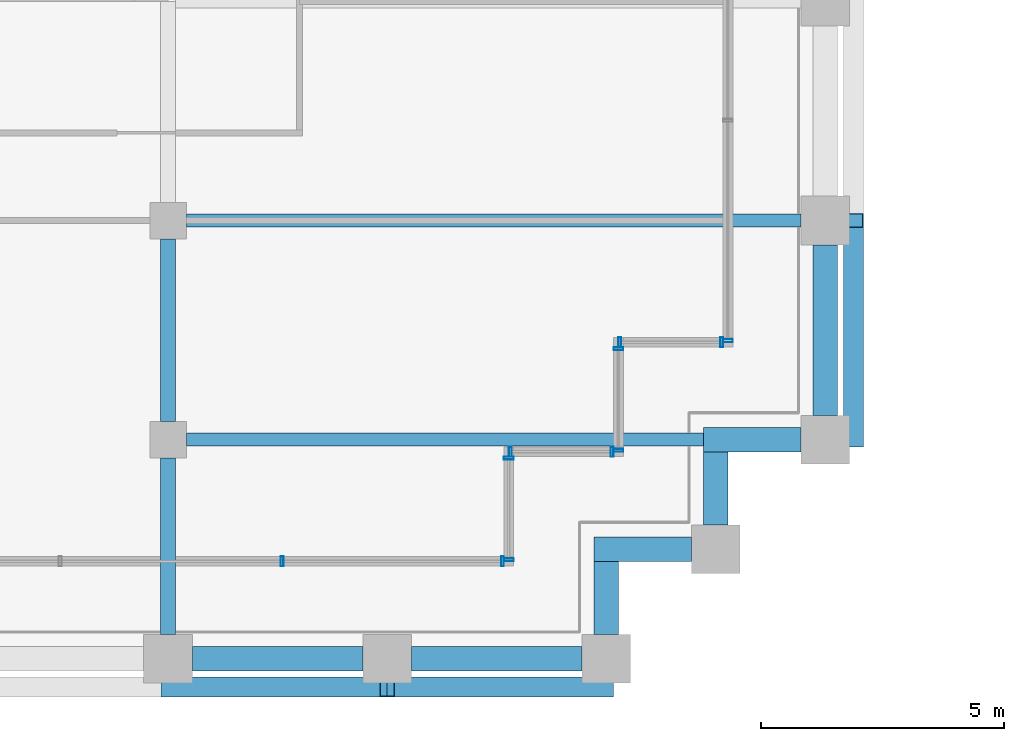
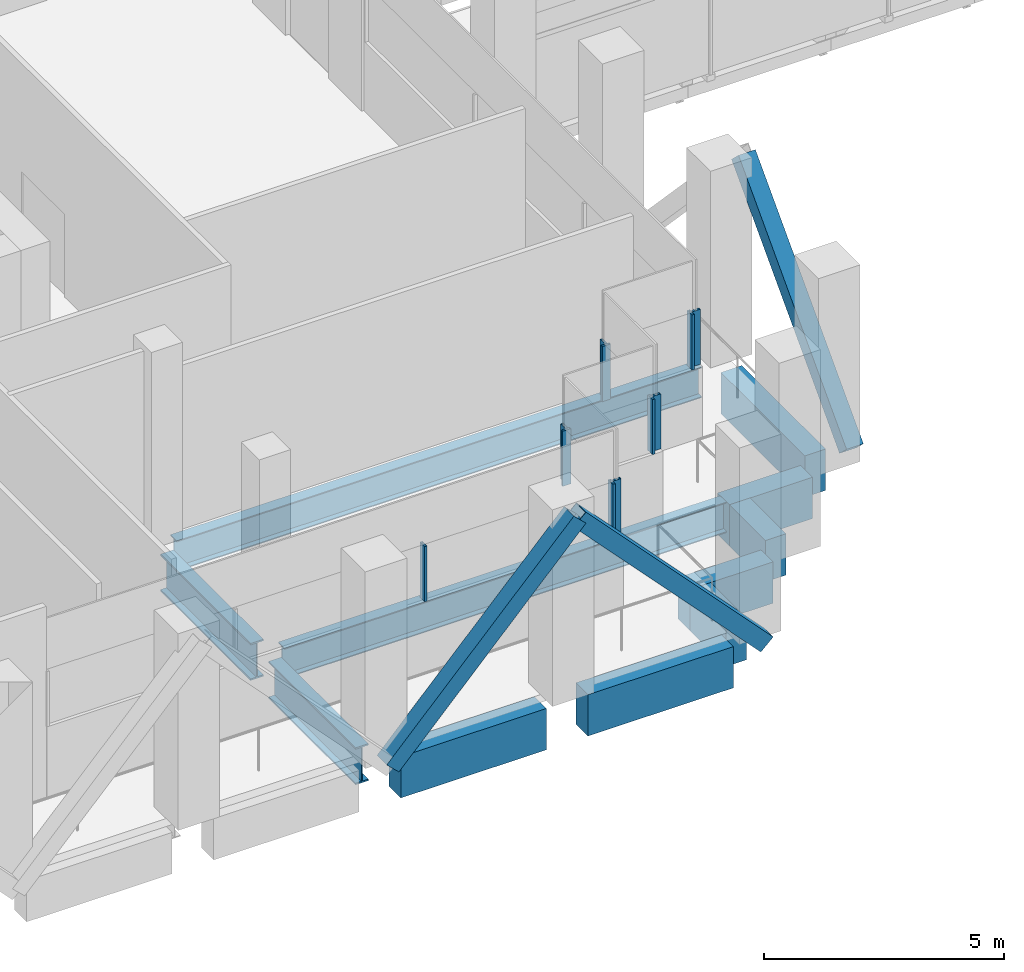
# One storey, part 8 of 48: 14 members, 11 beams, 6 elements without a shape of their own.
"""IFC4 building model written with IfcOpenShell, lengths in metres."""

from ifc_helpers import new_model, si_unit, direction, frame, origin, origin_2d, place, context, subcontext, project, spatial, rectangle, hollow_rectangle, i_section, extrude, material, material_profile, profile_set, type_object, element, aggregate, save


model = new_model("IFC4")

# Units and contexts
model_context = context("Model", 3, precision=1e-05, world=origin(), true_north=direction((0.0, 1.0)))
body_context = subcontext(model_context, "Body", "Model", "MODEL_VIEW")
ifc_project = project(units=[si_unit("LENGTHUNIT", "METRE"), si_unit("AREAUNIT", "SQUARE_METRE"), si_unit("VOLUMEUNIT", "CUBIC_METRE"), si_unit("PLANEANGLEUNIT", "RADIAN"), si_unit("MASSUNIT", "GRAM", prefix="KILO")], contexts=[model_context])

# Site, building, storey
site_placement = place(None, origin())
site = spatial("IfcSite", under=ifc_project, at=site_placement, CompositionType="ELEMENT")
building_placement = place(site_placement, origin())
building = spatial("IfcBuilding", under=site, at=building_placement, Name="Altepetl Exchange Towers", CompositionType="ELEMENT")
storey_placement = place(building_placement, frame((0.0, 0.0, 138.800048828125)))
storey = spatial("IfcBuildingStorey", under=building, at=storey_placement, Name="L34 Refuge and sky lobby", CompositionType="ELEMENT", Elevation=138.800048828125)

# Members
ifc_material_1 = material(Name="Steel S355", Category="steel")
ifc_material_profile_1 = material_profile(ifc_material_1, hollow_rectangle(XDim=0.406005859375, YDim=0.406005859375, WallThickness=0.014892578125, at=origin_2d()), Name="HSS406X406X15.9")
ifc_profile_set_1 = profile_set([ifc_material_profile_1], Name="Steel S355")
member_type_1 = type_object("IfcMemberType", Name="Belt diagonal HSS406X406X15.9", PredefinedType="BRACE", material=ifc_profile_set_1)
for number, where, z_axis, x_axis, name in (
    (1, (58.5, 26.419921875, 0.0), (0.687744647911, 0.0, 0.725952683906), (0.0, 1.0, 0.0), "brc:A:L34:006"),
    (2, (63.0, 26.419921875, 4.75), (0.687744647911, 0.0, -0.725952683906), (0.0, 1.0, 0.0), "brc:A:L34:007"),
    (3, (72.580078125, 31.5, 0.0), (0.0, 0.687744647911, 0.725952683906), (-1.0, 0.0, 0.0), "brc:A:L34:008"),
):
    element("IfcMember", number, at=place(storey_placement, frame(where, z_axis=z_axis, x_axis=x_axis)), inside=storey, type_object=member_type_1, Name=name, PredefinedType="BRACE", context=body_context, shape_type="SweptSolid", body=[
        extrude(hollow_rectangle(XDim=0.406005859375, YDim=0.406005859375, WallThickness=0.014892578125, at=origin_2d()), origin(), (0.0, 0.0, 1.0), 6.543212890625),
    ])

# Beams
ifc_material_profile_2 = material_profile(ifc_material_1, i_section(OverallWidth=0.26806640625, OverallDepth=0.77392578125, WebThickness=0.015380859375, FlangeThickness=0.025390625, at=origin_2d()), Name="W30X132")
ifc_profile_set_2 = profile_set([ifc_material_profile_2], Name="Steel S355")
beam_type_1 = type_object("IfcBeamType", Name="Floor beam W30X132", PredefinedType="BEAM", material=ifc_profile_set_2)
beam_1_placement = place(storey_placement, frame((58.875, 31.5, -0.587158203125), z_axis=(1.0, 0.0, 0.0), x_axis=(0.0, 1.0, 0.0)))
element("IfcBeam", 4, at=beam_1_placement, inside=storey, type_object=beam_type_1, Name="bm:A:L34:006", PredefinedType="BEAM", context=body_context, shape_type="SweptSolid", body=[
    extrude(i_section(OverallWidth=0.26806640625, OverallDepth=0.77392578125, WebThickness=0.015380859375, FlangeThickness=0.025390625, at=origin_2d()), origin(), (0.0, 0.0, 1.0), 10.625),
])
beam_2_placement = place(storey_placement, frame((58.875, 36.0, -0.587158203125), z_axis=(1.0, 0.0, 0.0), x_axis=(0.0, 1.0, 0.0)))
element("IfcBeam", 5, at=beam_2_placement, inside=storey, type_object=beam_type_1, Name="bm:A:L34:007", PredefinedType="BEAM", context=body_context, shape_type="SweptSolid", body=[
    extrude(i_section(OverallWidth=0.26806640625, OverallDepth=0.77392578125, WebThickness=0.015380859375, FlangeThickness=0.025390625, at=origin_2d()), origin(), (0.0, 0.0, 1.0), 12.625),
])
ifc_material_profile_3 = material_profile(ifc_material_1, i_section(OverallWidth=0.30810546875, OverallDepth=0.943115234375, WebThickness=0.022216796875, FlangeThickness=0.039794921875, at=origin_2d()), Name="W36X232")
ifc_profile_set_3 = profile_set([ifc_material_profile_3], Name="Steel S355")
beam_type_2 = type_object("IfcBeamType", Name="Girder W36X232", PredefinedType="BEAM", material=ifc_profile_set_3)
beam_3_placement = place(storey_placement, frame((58.5, 35.625, -0.671630859375), z_axis=(0.0, -1.0, 0.0), x_axis=(1.0, 0.0, 0.0)))
element("IfcBeam", 6, at=beam_3_placement, inside=storey, type_object=beam_type_2, Name="gd:A:L34:004", PredefinedType="BEAM", context=body_context, shape_type="SweptSolid", body=[
    extrude(i_section(OverallWidth=0.30810546875, OverallDepth=0.943115234375, WebThickness=0.022216796875, FlangeThickness=0.039794921875, at=origin_2d()), origin(), (0.0, 0.0, 1.0), 3.75),
])
beam_4_placement = place(storey_placement, frame((58.5, 31.125, -0.671630859375), z_axis=(0.0, -1.0, 0.0), x_axis=(1.0, 0.0, 0.0)))
element("IfcBeam", 7, at=beam_4_placement, inside=storey, type_object=beam_type_2, Name="gd:A:L34:005", PredefinedType="BEAM", context=body_context, shape_type="SweptSolid", body=[
    extrude(i_section(OverallWidth=0.30810546875, OverallDepth=0.943115234375, WebThickness=0.022216796875, FlangeThickness=0.039794921875, at=origin_2d()), origin(), (0.0, 0.0, 1.0), 3.625),
])

# Curtain wall, members
ifc_material_2 = material(Name="Aluminium 6063-T6 glazing", Category="aluminium")
curtain_wall_type = type_object("IfcCurtainWallType", Name="Refuge slit glazing system", PredefinedType="NOTDEFINED", material=ifc_material_2)
curtain_wall_1_placement = place(storey_placement, origin())
curtain_wall_1 = element("IfcCurtainWall", 8, at=curtain_wall_1_placement, inside=storey, type_object=curtain_wall_type, Name="CW3 run", PredefinedType="NOTDEFINED")
ifc_material_3 = material(Name="Aluminium 6063-T6", Category="aluminium")
ifc_material_profile_4 = material_profile(ifc_material_3, hollow_rectangle(XDim=0.06005859375, YDim=0.199951171875, WallThickness=0.0029296875, at=origin_2d()), Name="Mullion 60x200 aluminium")
ifc_profile_set_4 = profile_set([ifc_material_profile_4], Name="Aluminium 6063-T6")
member_type_2 = type_object("IfcMemberType", Name="Mullion 60x200 aluminium", PredefinedType="MULLION", material=ifc_profile_set_4)
member_1_placement = place(storey_placement, frame((60.8427734375, 29.0, 1.800048828125)))
member_1 = element("IfcMember", 9, at=member_1_placement, type_object=member_type_2, Name="MU2 mullion", PredefinedType="MULLION", context=body_context, shape_type="SweptSolid", body=[
    extrude(hollow_rectangle(XDim=0.06005859375, YDim=0.199951171875, WallThickness=0.0029296875, at=origin_2d()), origin(), (0.0, 0.0, 1.0), 1.39990234375),
])
member_2_placement = place(storey_placement, frame((65.3701171875, 29.0, 1.800048828125)))
member_2 = element("IfcMember", 10, at=member_2_placement, type_object=member_type_2, Name="MU2 mullion", PredefinedType="MULLION", context=body_context, shape_type="SweptSolid", body=[
    extrude(hollow_rectangle(XDim=0.06005859375, YDim=0.199951171875, WallThickness=0.0029296875, at=origin_2d()), origin(), (0.0, 0.0, 1.0), 1.39990234375),
])
aggregate(curtain_wall_1, [member_1, member_2])

curtain_wall_2_placement = place(storey_placement, origin())
curtain_wall_2 = element("IfcCurtainWall", 11, at=curtain_wall_2_placement, inside=storey, type_object=curtain_wall_type, Name="CW3 run", PredefinedType="NOTDEFINED")
member_3_placement = place(storey_placement, frame((65.5, 29.030029296875, 1.800048828125), z_axis=(0.0, 0.0, 1.0), x_axis=(0.0, 1.0, 0.0)))
member_3 = element("IfcMember", 12, at=member_3_placement, type_object=member_type_2, Name="MU2 mullion", PredefinedType="MULLION", context=body_context, shape_type="SweptSolid", body=[
    extrude(hollow_rectangle(XDim=0.06005859375, YDim=0.199951171875, WallThickness=0.0029296875, at=origin_2d()), origin(), (0.0, 0.0, 1.0), 1.39990234375),
])
member_4_placement = place(storey_placement, frame((65.5, 31.1201171875, 1.800048828125), z_axis=(0.0, 0.0, 1.0), x_axis=(0.0, 1.0, 0.0)))
member_4 = element("IfcMember", 13, at=member_4_placement, type_object=member_type_2, Name="MU2 mullion", PredefinedType="MULLION", context=body_context, shape_type="SweptSolid", body=[
    extrude(hollow_rectangle(XDim=0.06005859375, YDim=0.199951171875, WallThickness=0.0029296875, at=origin_2d()), origin(), (0.0, 0.0, 1.0), 1.39990234375),
])
aggregate(curtain_wall_2, [member_3, member_4])

curtain_wall_3_placement = place(storey_placement, origin())
curtain_wall_3 = element("IfcCurtainWall", 14, at=curtain_wall_3_placement, inside=storey, type_object=curtain_wall_type, Name="CW3 run", PredefinedType="NOTDEFINED")
member_5_placement = place(storey_placement, frame((65.530029296875, 31.25, 1.800048828125)))
member_5 = element("IfcMember", 15, at=member_5_placement, type_object=member_type_2, Name="MU2 mullion", PredefinedType="MULLION", context=body_context, shape_type="SweptSolid", body=[
    extrude(hollow_rectangle(XDim=0.06005859375, YDim=0.199951171875, WallThickness=0.0029296875, at=origin_2d()), origin(), (0.0, 0.0, 1.0), 1.39990234375),
])
member_6_placement = place(storey_placement, frame((67.6201171875, 31.25, 1.800048828125)))
member_6 = element("IfcMember", 16, at=member_6_placement, type_object=member_type_2, Name="MU2 mullion", PredefinedType="MULLION", context=body_context, shape_type="SweptSolid", body=[
    extrude(hollow_rectangle(XDim=0.06005859375, YDim=0.199951171875, WallThickness=0.0029296875, at=origin_2d()), origin(), (0.0, 0.0, 1.0), 1.39990234375),
])
aggregate(curtain_wall_3, [member_5, member_6])

curtain_wall_4_placement = place(storey_placement, origin())
curtain_wall_4 = element("IfcCurtainWall", 17, at=curtain_wall_4_placement, inside=storey, type_object=curtain_wall_type, Name="CW3 run", PredefinedType="NOTDEFINED")
member_7_placement = place(storey_placement, frame((67.75, 31.280029296875, 1.800048828125), z_axis=(0.0, 0.0, 1.0), x_axis=(0.0, 1.0, 0.0)))
member_7 = element("IfcMember", 18, at=member_7_placement, type_object=member_type_2, Name="MU2 mullion", PredefinedType="MULLION", context=body_context, shape_type="SweptSolid", body=[
    extrude(hollow_rectangle(XDim=0.06005859375, YDim=0.199951171875, WallThickness=0.0029296875, at=origin_2d()), origin(), (0.0, 0.0, 1.0), 1.39990234375),
])
member_8_placement = place(storey_placement, frame((67.75, 33.3701171875, 1.800048828125), z_axis=(0.0, 0.0, 1.0), x_axis=(0.0, 1.0, 0.0)))
member_8 = element("IfcMember", 19, at=member_8_placement, type_object=member_type_2, Name="MU2 mullion", PredefinedType="MULLION", context=body_context, shape_type="SweptSolid", body=[
    extrude(hollow_rectangle(XDim=0.06005859375, YDim=0.199951171875, WallThickness=0.0029296875, at=origin_2d()), origin(), (0.0, 0.0, 1.0), 1.39990234375),
])
aggregate(curtain_wall_4, [member_7, member_8])

curtain_wall_5_placement = place(storey_placement, origin())
curtain_wall_5 = element("IfcCurtainWall", 20, at=curtain_wall_5_placement, inside=storey, type_object=curtain_wall_type, Name="CW3 run", PredefinedType="NOTDEFINED")
member_9_placement = place(storey_placement, frame((67.780029296875, 33.5, 1.800048828125)))
member_9 = element("IfcMember", 21, at=member_9_placement, type_object=member_type_2, Name="MU2 mullion", PredefinedType="MULLION", context=body_context, shape_type="SweptSolid", body=[
    extrude(hollow_rectangle(XDim=0.06005859375, YDim=0.199951171875, WallThickness=0.0029296875, at=origin_2d()), origin(), (0.0, 0.0, 1.0), 1.39990234375),
])
member_10_placement = place(storey_placement, frame((69.8701171875, 33.5, 1.800048828125)))
member_10 = element("IfcMember", 22, at=member_10_placement, type_object=member_type_2, Name="MU2 mullion", PredefinedType="MULLION", context=body_context, shape_type="SweptSolid", body=[
    extrude(hollow_rectangle(XDim=0.06005859375, YDim=0.199951171875, WallThickness=0.0029296875, at=origin_2d()), origin(), (0.0, 0.0, 1.0), 1.39990234375),
])
aggregate(curtain_wall_5, [member_9, member_10])

# Curtain wall, member
curtain_wall_6_placement = place(storey_placement, origin())
curtain_wall_6 = element("IfcCurtainWall", 23, at=curtain_wall_6_placement, inside=storey, type_object=curtain_wall_type, Name="CW3 run", PredefinedType="NOTDEFINED")
member_11_placement = place(storey_placement, frame((70.0, 33.530029296875, 1.800048828125), z_axis=(0.0, 0.0, 1.0), x_axis=(0.0, 1.0, 0.0)))
member_11 = element("IfcMember", 24, at=member_11_placement, type_object=member_type_2, Name="MU2 mullion", PredefinedType="MULLION", context=body_context, shape_type="SweptSolid", body=[
    extrude(hollow_rectangle(XDim=0.06005859375, YDim=0.199951171875, WallThickness=0.0029296875, at=origin_2d()), origin(), (0.0, 0.0, 1.0), 1.39990234375),
])
aggregate(curtain_wall_6, [member_11])

# Beams
ifc_material_4 = material(Name="Concrete C50/60 precast with cantera amarilla facing", Category="concrete")
ifc_material_profile_5 = material_profile(ifc_material_4, rectangle(XDim=0.5, YDim=1.050048828125, at=origin_2d()), Name="500 x 1050")
ifc_profile_set_5 = profile_set([ifc_material_profile_5], Name="Concrete C50/60 precast with cantera amarilla facing")
beam_type_3 = type_object("IfcBeamType", Name="Spandrel beam 500x1050 cantera amarilla", PredefinedType="SPANDREL", material=ifc_profile_set_5)
for number, where, z_axis, x_axis, name in (
    (25, (59.0, 27.0, -0.72509765625), (1.0, 0.0, 0.0), (0.0, 1.0, 0.0), "sp:A:L34:006"),
    (26, (63.5, 27.0, -0.72509765625), (1.0, 0.0, 0.0), (0.0, 1.0, 0.0), "sp:A:L34:007"),
):
    element("IfcBeam", number, at=place(storey_placement, frame(where, z_axis=z_axis, x_axis=x_axis)), inside=storey, type_object=beam_type_3, Name=name, PredefinedType="SPANDREL", context=body_context, shape_type="SweptSolid", body=[
        extrude(rectangle(XDim=0.5, YDim=1.050048828125, at=origin_2d()), origin(), (0.0, 0.0, 1.0), 3.5),
    ])
beam_5_placement = place(storey_placement, frame((67.5, 27.5, -0.72509765625), z_axis=(0.0, 1.0, 0.0), x_axis=(-1.0, 0.0, 0.0)))
element("IfcBeam", 27, at=beam_5_placement, inside=storey, type_object=beam_type_3, Name="sp:A:L34:008", PredefinedType="SPANDREL", context=body_context, shape_type="SweptSolid", body=[
    extrude(rectangle(XDim=0.5, YDim=1.050048828125, at=origin_2d()), origin(), (0.0, 0.0, 1.0), 1.5),
])
beam_6_placement = place(storey_placement, frame((67.25, 29.25, -0.72509765625), z_axis=(1.0, 0.0, 0.0), x_axis=(0.0, 1.0, 0.0)))
element("IfcBeam", 28, at=beam_6_placement, inside=storey, type_object=beam_type_3, Name="sp:A:L34:009", PredefinedType="SPANDREL", context=body_context, shape_type="SweptSolid", body=[
    extrude(rectangle(XDim=0.5, YDim=1.050048828125, at=origin_2d()), origin(), (0.0, 0.0, 1.0), 2.0),
])
beam_7_placement = place(storey_placement, frame((69.75, 29.75, -0.72509765625), z_axis=(0.0, 1.0, 0.0), x_axis=(-1.0, 0.0, 0.0)))
element("IfcBeam", 29, at=beam_7_placement, inside=storey, type_object=beam_type_3, Name="sp:A:L34:010", PredefinedType="SPANDREL", context=body_context, shape_type="SweptSolid", body=[
    extrude(rectangle(XDim=0.5, YDim=1.050048828125, at=origin_2d()), origin(), (0.0, 0.0, 1.0), 1.5),
])
beam_8_placement = place(storey_placement, frame((69.5, 31.5, -0.72509765625), z_axis=(1.0, 0.0, 0.0), x_axis=(0.0, 1.0, 0.0)))
element("IfcBeam", 30, at=beam_8_placement, inside=storey, type_object=beam_type_3, Name="sp:A:L34:011", PredefinedType="SPANDREL", context=body_context, shape_type="SweptSolid", body=[
    extrude(rectangle(XDim=0.5, YDim=1.050048828125, at=origin_2d()), origin(), (0.0, 0.0, 1.0), 2.0),
])
beam_9_placement = place(storey_placement, frame((72.0, 32.0, -0.72509765625), z_axis=(0.0, 1.0, 0.0), x_axis=(-1.0, 0.0, 0.0)))
element("IfcBeam", 31, at=beam_9_placement, inside=storey, type_object=beam_type_3, Name="sp:A:L34:012", PredefinedType="SPANDREL", context=body_context, shape_type="SweptSolid", body=[
    extrude(rectangle(XDim=0.5, YDim=1.050048828125, at=origin_2d()), origin(), (0.0, 0.0, 1.0), 3.5),
])

save(model, "model.ifc")
